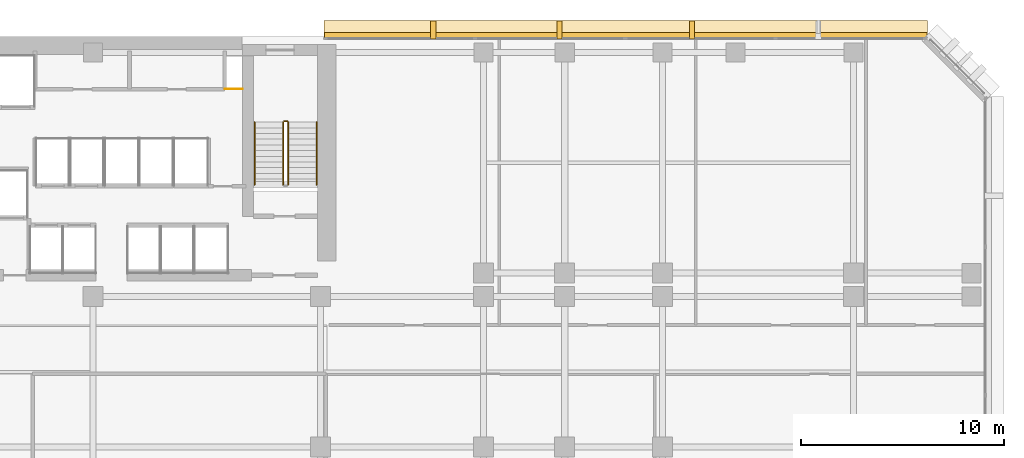
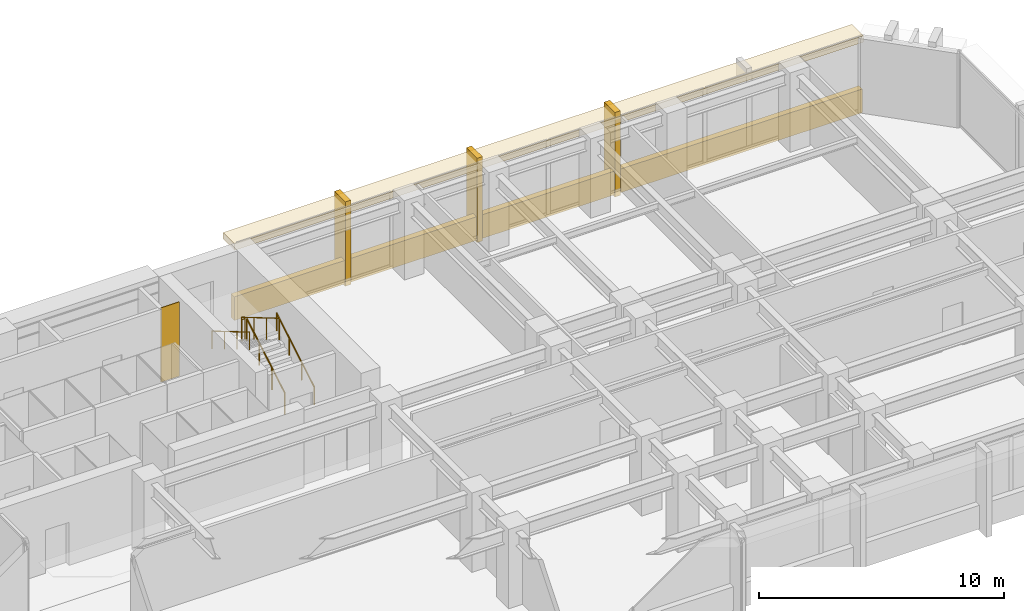
# One storey, part 12 of 13: 6 coverings, 5 railings.
"""IFC4 building model written with IfcOpenShell, lengths in metres."""

from ifc_helpers import new_model, si_unit, direction, frame, origin, origin_2d, place, context, subcontext, project, spatial, polyline, rectangle, circle, outline, extrude, material, layer, layer_set, type_object, element, save


model = new_model("IFC4")

# Units and contexts
model_context = context("Model", 3, precision=1e-05, world=origin(), true_north=direction((0.0, 1.0)))
body_context = subcontext(model_context, "Body", "Model", "MODEL_VIEW")
ifc_project = project(units=[si_unit("LENGTHUNIT", "METRE"), si_unit("AREAUNIT", "SQUARE_METRE"), si_unit("VOLUMEUNIT", "CUBIC_METRE"), si_unit("PLANEANGLEUNIT", "RADIAN"), si_unit("MASSUNIT", "GRAM", prefix="KILO")], contexts=[model_context])

# Site, building, storey
site_placement = place(None, origin())
site = spatial("IfcSite", under=ifc_project, at=site_placement, CompositionType="ELEMENT")
building_placement = place(site_placement, origin())
building = spatial("IfcBuilding", under=site, at=building_placement, Name="Kefirva Bronze Tower", CompositionType="ELEMENT")
storey_placement = place(building_placement, frame((0.0, 0.0, 38.280029296875)))
storey = spatial("IfcBuildingStorey", under=building, at=storey_placement, Name="L08", CompositionType="ELEMENT", Elevation=38.280029296875)

# Coverings
ifc_material_1 = material(Name="Bronze anodised aluminium", Category="aluminium")
ifc_layer_1 = layer(ifc_material_1, 0.02001953125, Name="Bronze anodised aluminium")
ifc_layer_set_1 = layer_set([ifc_layer_1], Name="Bronze anodised aluminium")
covering_type_1 = type_object("IfcCoveringType", Name="Anodised Bronze Spandrel Cladding 20mm", PredefinedType="CLADDING", material=ifc_layer_set_1)
covering_1_placement = place(storey_placement, frame((38.202392578125, 46.0400390625, -0.16015625), z_axis=(0.0, 0.0, 1.0), x_axis=(-1.0, 0.0, 0.0)))
element("IfcCovering", 1, at=covering_1_placement, inside=storey, type_object=covering_type_1, Name="L08 Streamline Horizontal Spandrel Band 12", PredefinedType="CLADDING", context=body_context, shape_type="SweptSolid", body=[
    extrude(rectangle(XDim=29.635009765625, YDim=0.280029296875, at=origin_2d()), origin(), (0.0, 0.0, 1.0), 1.179931640625),
])
covering_2_placement = place(storey_placement, origin())
element("IfcCovering", 2, at=covering_2_placement, inside=storey, type_object=covering_type_1, Name="L08 Core MEP Riser Shaft Liner South", PredefinedType="CLADDING", context=body_context, shape_type="SweptSolid", body=[
    extrude(outline(polyline([(18.47998046875, 43.39990234375), (19.360107421875, 43.39990234375), (19.360107421875, 43.429931640625), (18.47998046875, 43.429931640625), (18.47998046875, 43.39990234375)])), origin(), (0.0, 0.0, 1.0), 3.7099609375),
])

# Railings
ifc_material_2 = material(Name="Stainless steel 316", Category="steel")
railing_type_1 = type_object("IfcRailingType", Name="Interior Stair Guardrail 1100mm", PredefinedType="GUARDRAIL", material=ifc_material_2)
railing_1_placement = place(storey_placement, frame((21.60009765625, 38.699951171875, 0.1650390625)))
element("IfcRailing", 3, at=railing_1_placement, inside=storey, type_object=railing_type_1, Name="L08 ST-2 stair guard 1", PredefinedType="GUARDRAIL", context=body_context, shape_type="SweptSolid", body=[
    extrude(circle(Radius=0.02392578125, at=origin_2d()), frame((0.0, 0.0, 1.076171875), z_axis=(0.0, 0.861551262678, 0.507670583921), x_axis=(-1.0, 0.0, 0.0)), (0.0, 0.0, 1.0), 3.574951171875),
    extrude(circle(Radius=0.02099609375, at=origin_2d()), origin(), (0.0, 0.0, 1.0), 1.052001953125),
    extrude(circle(Radius=0.02099609375, at=origin_2d()), frame((0.0, 1.026611328125, 0.60498046875)), (0.0, 0.0, 1.0), 1.052001953125),
    extrude(circle(Radius=0.02099609375, at=origin_2d()), frame((0.0, 2.053466796875, 1.2099609375)), (0.0, 0.0, 1.0), 1.052001953125),
    extrude(circle(Radius=0.02099609375, at=origin_2d()), frame((0.0, 3.080078125, 1.81494140625)), (0.0, 0.0, 1.0), 1.052001953125),
])
railing_2_placement = place(storey_placement, frame((21.550048828125, 41.830078125, 1.97998046875)))
element("IfcRailing", 4, at=railing_2_placement, inside=storey, type_object=railing_type_1, Name="L08 ST-2 stair guard 2", PredefinedType="GUARDRAIL", context=body_context, shape_type="SweptSolid", body=[
    extrude(circle(Radius=0.02392578125, at=origin_2d()), frame((0.0, 0.0, 1.076171875), z_axis=(-1.0, 0.0, 0.0), x_axis=(0.0, -1.0, 0.0)), (0.0, 0.0, 1.0), 0.150146484375),
    extrude(circle(Radius=0.02099609375, at=origin_2d()), origin(), (0.0, 0.0, 1.0), 1.052001953125),
    extrude(circle(Radius=0.02099609375, at=origin_2d()), frame((-0.150146484375, 0.0, 0.0)), (0.0, 0.0, 1.0), 1.052001953125),
])
railing_3_placement = place(storey_placement, frame((21.35009765625, 41.780029296875, 2.14501953125)))
element("IfcRailing", 5, at=railing_3_placement, inside=storey, type_object=railing_type_1, Name="L08 ST-2 stair guard 3", PredefinedType="GUARDRAIL", context=body_context, shape_type="SweptSolid", body=[
    extrude(circle(Radius=0.02392578125, at=origin_2d()), frame((0.0, 0.0, 1.076171875), z_axis=(0.0, -0.861551262678, 0.507670583921), x_axis=(1.0, 0.0, 0.0)), (0.0, 0.0, 1.0), 3.574951171875),
    extrude(circle(Radius=0.02099609375, at=origin_2d()), origin(), (0.0, 0.0, 1.0), 1.052001953125),
    extrude(circle(Radius=0.02099609375, at=origin_2d()), frame((0.0, -1.026611328125, 0.60498046875)), (0.0, 0.0, 1.0), 1.052001953125),
    extrude(circle(Radius=0.02099609375, at=origin_2d()), frame((0.0, -2.053466796875, 1.2099609375)), (0.0, 0.0, 1.0), 1.052001953125),
    extrude(circle(Radius=0.02099609375, at=origin_2d()), frame((0.0, -3.080078125, 1.81494140625)), (0.0, 0.0, 1.0), 1.052001953125),
])
railing_type_2 = type_object("IfcRailingType", Name="Stair Pitch Handrail 900mm", PredefinedType="HANDRAIL", material=ifc_material_2)
railing_4_placement = place(storey_placement, frame((23.0, 38.699951171875, 0.1650390625)))
element("IfcRailing", 6, at=railing_4_placement, inside=storey, type_object=railing_type_2, Name="L08 ST-2 stair handrail 1", PredefinedType="HANDRAIL", context=body_context, shape_type="SweptSolid", body=[
    extrude(circle(Radius=0.02392578125, at=origin_2d()), frame((0.0, 0.0, 0.8759765625), z_axis=(0.0, 0.861551262678, 0.507670583921), x_axis=(-1.0, 0.0, 0.0)), (0.0, 0.0, 1.0), 3.574951171875),
    extrude(circle(Radius=0.02099609375, at=origin_2d()), origin(), (0.0, 0.0, 1.0), 0.851806640625),
    extrude(circle(Radius=0.02099609375, at=origin_2d()), frame((0.0, 1.026611328125, 0.60498046875)), (0.0, 0.0, 1.0), 0.851806640625),
    extrude(circle(Radius=0.02099609375, at=origin_2d()), frame((0.0, 2.053466796875, 1.2099609375)), (0.0, 0.0, 1.0), 0.851806640625),
    extrude(circle(Radius=0.02099609375, at=origin_2d()), frame((0.0, 3.080078125, 1.81494140625)), (0.0, 0.0, 1.0), 0.851806640625),
])
railing_5_placement = place(storey_placement, frame((19.949951171875, 41.780029296875, 2.14501953125)))
element("IfcRailing", 7, at=railing_5_placement, inside=storey, type_object=railing_type_2, Name="L08 ST-2 stair handrail 2", PredefinedType="HANDRAIL", context=body_context, shape_type="SweptSolid", body=[
    extrude(circle(Radius=0.02392578125, at=origin_2d()), frame((0.0, 0.0, 0.8759765625), z_axis=(0.0, -0.861551262678, 0.507670583921), x_axis=(1.0, 0.0, 0.0)), (0.0, 0.0, 1.0), 3.574951171875),
    extrude(circle(Radius=0.02099609375, at=origin_2d()), origin(), (0.0, 0.0, 1.0), 0.851806640625),
    extrude(circle(Radius=0.02099609375, at=origin_2d()), frame((0.0, -1.026611328125, 0.60498046875)), (0.0, 0.0, 1.0), 0.851806640625),
    extrude(circle(Radius=0.02099609375, at=origin_2d()), frame((0.0, -2.053466796875, 1.2099609375)), (0.0, 0.0, 1.0), 0.851806640625),
    extrude(circle(Radius=0.02099609375, at=origin_2d()), frame((0.0, -3.080078125, 1.81494140625)), (0.0, 0.0, 1.0), 0.851806640625),
])

# Coverings
ifc_layer_2 = layer(ifc_material_1, 0.179931640625, Name="Bronze anodised aluminium")
ifc_layer_set_2 = layer_set([ifc_layer_2], Name="Bronze anodised aluminium")
covering_type_2 = type_object("IfcCoveringType", Name="Streamline Bronze Sunshade Eyebrow Cladding 180mm", PredefinedType="CLADDING", material=ifc_layer_set_2)
covering_3_placement = place(storey_placement, frame((38.202392578125, 46.31005859375, 3.39013671875), z_axis=(0.0, 0.0, 1.0), x_axis=(-1.0, 0.0, 0.0)))
element("IfcCovering", 8, at=covering_3_placement, inside=storey, type_object=covering_type_2, Name="L08 Streamline Bronze Sunshade Eyebrow 12", PredefinedType="CLADDING", context=body_context, shape_type="SweptSolid", body=[
    extrude(rectangle(XDim=29.675048828125, YDim=0.93994140625, at=origin_2d()), origin(), (0.0, 0.0, 1.0), 0.320068359375),
])
ifc_layer_3 = layer(ifc_material_1, 0.260009765625, Name="Bronze anodised aluminium")
ifc_layer_set_3 = layer_set([ifc_layer_3], Name="Bronze anodised aluminium")
covering_type_3 = type_object("IfcCoveringType", Name="Unbroken Bronze Buttress Fin Cladding 260mm", PredefinedType="CLADDING", material=ifc_layer_set_3)
for number, where, z_axis, x_axis, name in (
    (9, (41.4580078125, 46.300048828125, -0.25), (0.0, 0.0, 1.0), (-1.0, 0.0, 0.0), "L08 Unbroken Vertical Bronze Rib Fin 20"),
    (10, (34.947021484375, 46.300048828125, -0.25), (0.0, 0.0, 1.0), (-1.0, 0.0, 0.0), "L08 Unbroken Vertical Bronze Rib Fin 21"),
    (11, (28.732177734375, 46.300048828125, -0.25), (0.0, 0.0, 1.0), (-1.0, 0.0, 0.0), "L08 Unbroken Vertical Bronze Rib Fin 22"),
):
    element("IfcCovering", number, at=place(storey_placement, frame(where, z_axis=z_axis, x_axis=x_axis)), inside=storey, type_object=covering_type_3, Name=name, PredefinedType="CLADDING", context=body_context, shape_type="SweptSolid", body=[
        extrude(rectangle(XDim=0.260009765625, YDim=0.8798828125, at=origin_2d()), origin(), (0.0, 0.0, 1.0), 4.2099609375),
    ])

save(model, "model.ifc")
